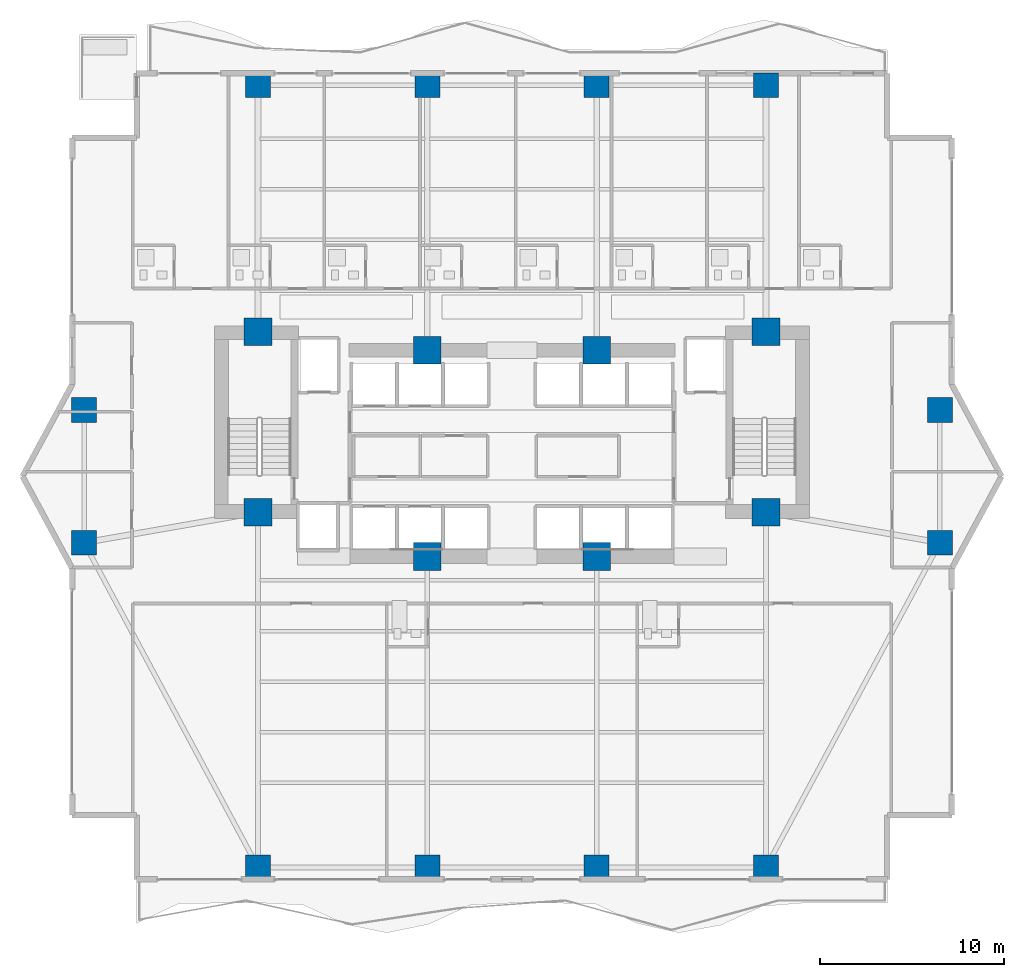
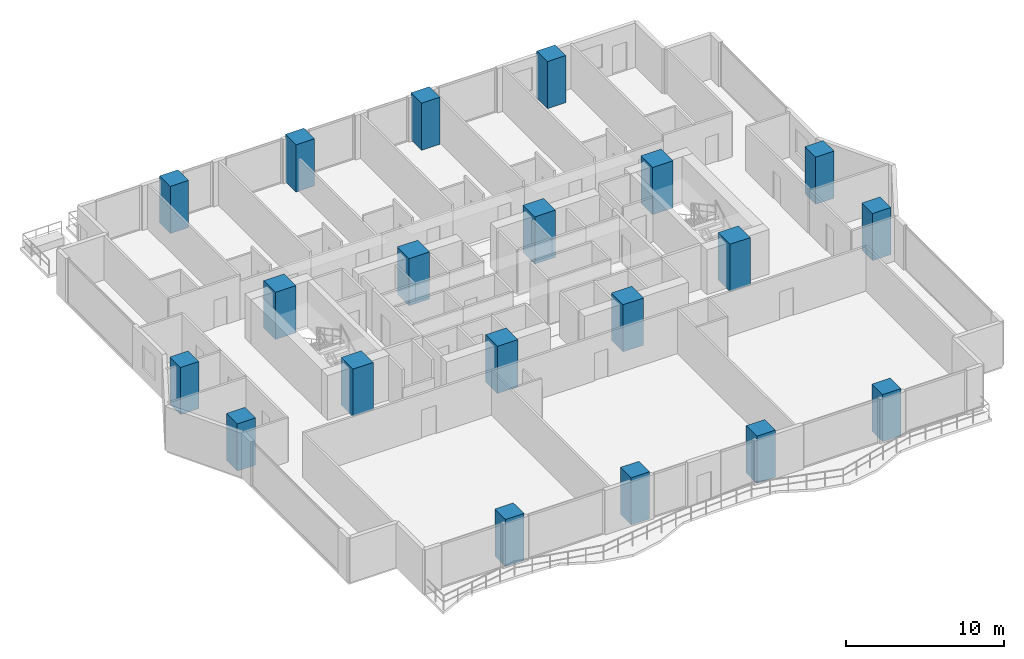
# One storey, part 1 of 28: 20 columns.
"""IFC4 building model written with IfcOpenShell, lengths in metres."""

from ifc_helpers import new_model, si_unit, direction, frame, origin, origin_2d, place, context, subcontext, project, spatial, rectangle, extrude, material, material_profile, profile_set, type_object, element, save


model = new_model("IFC4")

# Units and contexts
model_context = context("Model", 3, precision=1e-05, world=origin(), true_north=direction((0.0, 1.0)))
body_context = subcontext(model_context, "Body", "Model", "MODEL_VIEW")
ifc_project = project(units=[si_unit("LENGTHUNIT", "METRE"), si_unit("AREAUNIT", "SQUARE_METRE"), si_unit("VOLUMEUNIT", "CUBIC_METRE"), si_unit("PLANEANGLEUNIT", "RADIAN"), si_unit("MASSUNIT", "GRAM", prefix="KILO")], contexts=[model_context])

# Site, building, storey
site_placement = place(None, origin())
site = spatial("IfcSite", under=ifc_project, at=site_placement, CompositionType="ELEMENT")
building_placement = place(site_placement, origin())
building = spatial("IfcBuilding", under=site, at=building_placement, Name="Zuhayl Quay Hotel", CompositionType="ELEMENT")
storey_placement = place(building_placement, frame((0.0, 0.0, 110.25)))
storey = spatial("IfcBuildingStorey", under=building, at=storey_placement, Name="L27", CompositionType="ELEMENT", Elevation=110.25)

# Columns
ifc_material = material(Name="Concrete C70/85", Category="concrete")
ifc_material_profile_1 = material_profile(ifc_material, rectangle(XDim=1.5, YDim=1.5, at=origin_2d()), Name="RC1500X1500")
ifc_profile_set_1 = profile_set([ifc_material_profile_1], Name="Concrete C70/85")
column_type_1 = type_object("IfcColumnType", Name="CL_CC1_1500", PredefinedType="COLUMN", material=ifc_profile_set_1)
for number, where, z_axis, x_axis, name in (
    (1, (-13.800048828125, 14.35009765625, 0.0), (0.0, 0.0, 1.0), (1.0, 0.0, 0.0), "L27 Core Column CC_NW"),
    (2, (-4.60009765625, 13.35009765625, 0.0), (0.0, 0.0, 1.0), (1.0, 0.0, 0.0), "L27 Core Column CC_CNW"),
    (3, (4.60009765625, 13.35009765625, 0.0), (0.0, 0.0, 1.0), (1.0, 0.0, 0.0), "L27 Core Column CC_CNE"),
    (4, (13.800048828125, 14.35009765625, 0.0), (0.0, 0.0, 1.0), (1.0, 0.0, 0.0), "L27 Core Column CC_NE"),
    (5, (-13.800048828125, 4.550048828125, 0.0), (0.0, 0.0, 1.0), (1.0, 0.0, 0.0), "L27 Core Column CC_SW"),
    (6, (-4.60009765625, 2.14990234375, 0.0), (0.0, 0.0, 1.0), (1.0, 0.0, 0.0), "L27 Core Column CC_CSW"),
    (7, (4.60009765625, 2.14990234375, 0.0), (0.0, 0.0, 1.0), (1.0, 0.0, 0.0), "L27 Core Column CC_CSE"),
    (8, (13.800048828125, 4.550048828125, 0.0), (0.0, 0.0, 1.0), (1.0, 0.0, 0.0), "L27 Core Column CC_SE"),
):
    element("IfcColumn", number, at=place(storey_placement, frame(where, z_axis=z_axis, x_axis=x_axis)), inside=storey, type_object=column_type_1, Name=name, PredefinedType="COLUMN", context=body_context, shape_type="SweptSolid", body=[
        extrude(rectangle(XDim=1.5, YDim=1.5, at=origin_2d()), origin(), (0.0, 0.0, 1.0), 3.64990234375),
    ])
ifc_material_profile_2 = material_profile(ifc_material, rectangle(XDim=1.35009765625, YDim=1.35009765625, at=origin_2d()), Name="RC1350X1350")
ifc_profile_set_2 = profile_set([ifc_material_profile_2], Name="Concrete C70/85")
column_type_2 = type_object("IfcColumnType", Name="CL_MC2_1350", PredefinedType="COLUMN", material=ifc_profile_set_2)
for number, where, z_axis, x_axis, name in (
    (9, (-13.800048828125, -14.75, 0.0), (0.0, 0.0, 1.0), (1.0, 0.0, 0.0), "L27 Mega-Column MC_S1"),
    (10, (-4.60009765625, -14.75, 0.0), (0.0, 0.0, 1.0), (1.0, 0.0, 0.0), "L27 Mega-Column MC_S2"),
    (11, (4.60009765625, -14.75, 0.0), (0.0, 0.0, 1.0), (1.0, 0.0, 0.0), "L27 Mega-Column MC_S3"),
    (12, (13.800048828125, -14.75, 0.0), (0.0, 0.0, 1.0), (1.0, 0.0, 0.0), "L27 Mega-Column MC_S4"),
    (13, (-13.800048828125, 27.75, 0.0), (0.0, 0.0, 1.0), (1.0, 0.0, 0.0), "L27 Mega-Column MC_N1"),
    (14, (-4.60009765625, 27.75, 0.0), (0.0, 0.0, 1.0), (1.0, 0.0, 0.0), "L27 Mega-Column MC_N2"),
    (15, (4.60009765625, 27.75, 0.0), (0.0, 0.0, 1.0), (1.0, 0.0, 0.0), "L27 Mega-Column MC_N3"),
    (16, (13.800048828125, 27.75, 0.0), (0.0, 0.0, 1.0), (1.0, 0.0, 0.0), "L27 Mega-Column MC_N4"),
    (17, (-23.25, 2.89990234375, 0.0), (0.0, 0.0, 1.0), (1.0, 0.0, 0.0), "L27 Mega-Column MC_W1"),
    (18, (-23.25, 10.10009765625, 0.0), (0.0, 0.0, 1.0), (1.0, 0.0, 0.0), "L27 Mega-Column MC_W2"),
    (19, (23.25, 2.89990234375, 0.0), (0.0, 0.0, 1.0), (1.0, 0.0, 0.0), "L27 Mega-Column MC_E1"),
    (20, (23.25, 10.10009765625, 0.0), (0.0, 0.0, 1.0), (1.0, 0.0, 0.0), "L27 Mega-Column MC_E2"),
):
    element("IfcColumn", number, at=place(storey_placement, frame(where, z_axis=z_axis, x_axis=x_axis)), inside=storey, type_object=column_type_2, Name=name, PredefinedType="COLUMN", context=body_context, shape_type="SweptSolid", body=[
        extrude(rectangle(XDim=1.35009765625, YDim=1.35009765625, at=origin_2d()), origin(), (0.0, 0.0, 1.0), 3.64990234375),
    ])

save(model, "model.ifc")
